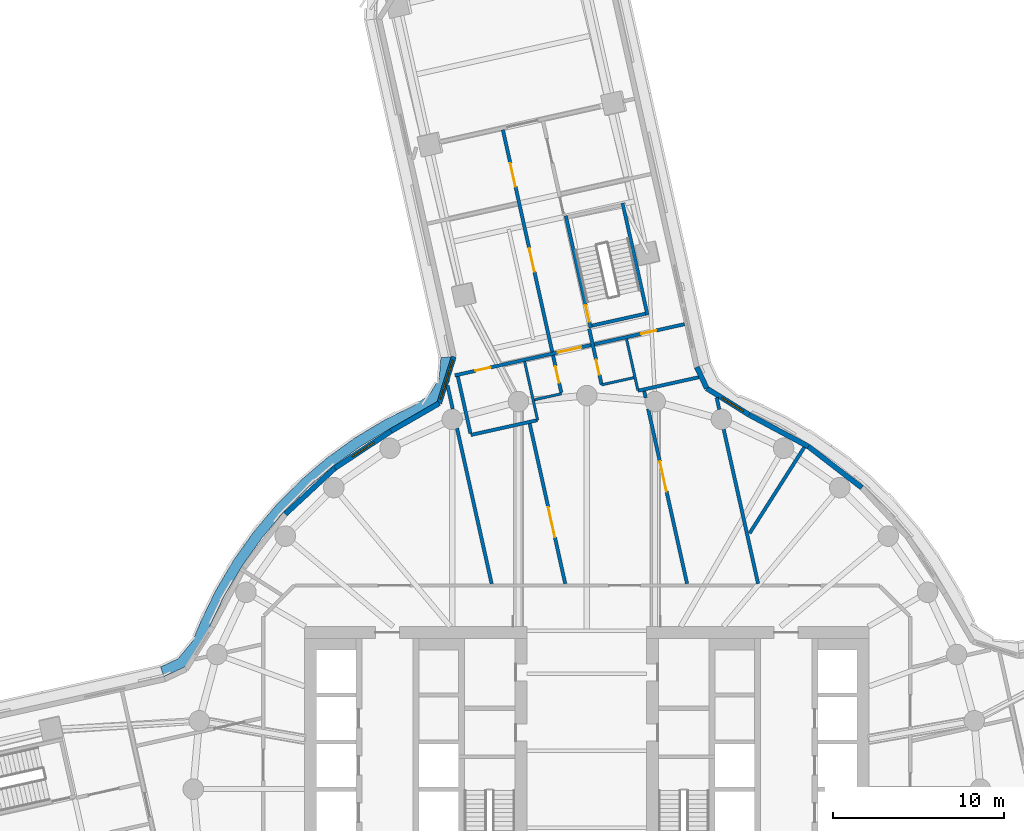
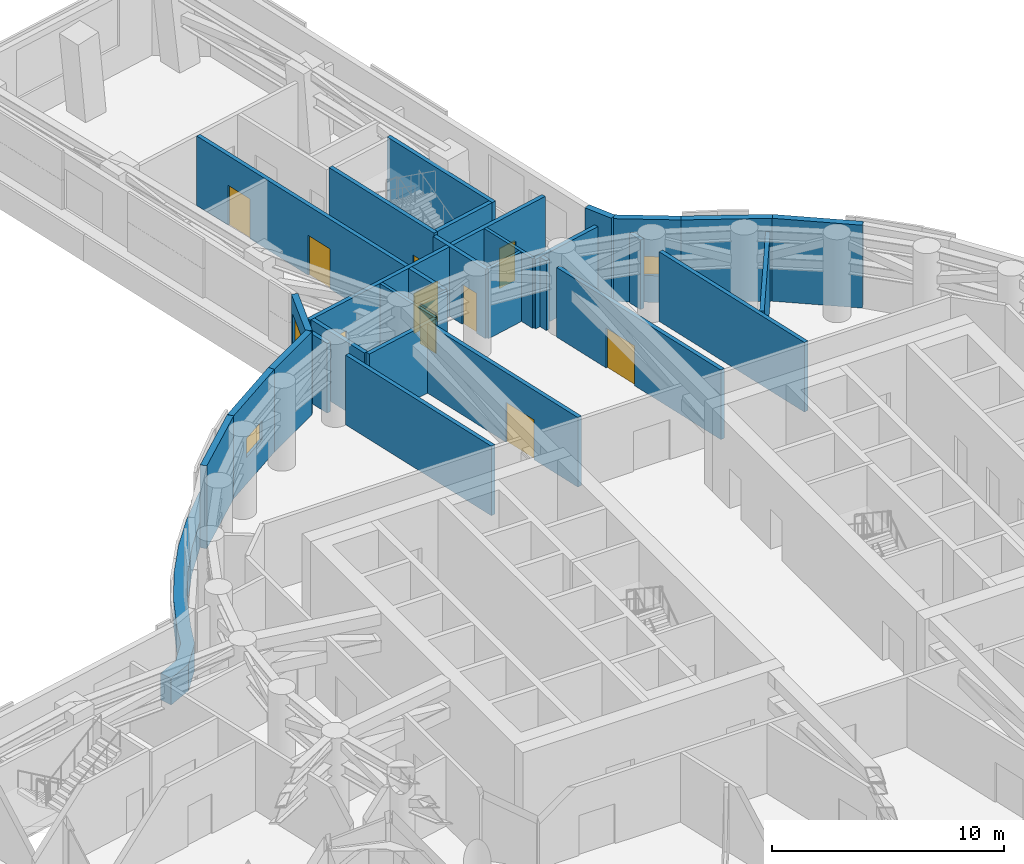
# One storey, part 12 of 22: 29 walls, 10 doors, 3 windows, 1 member, 13 openings.
"""IFC4 building model written with IfcOpenShell, lengths in metres."""

from ifc_helpers import new_model, si_unit, direction, frame, frame_2d, origin, place, context, subcontext, project, spatial, polyline, rectangle, outline, extrude, material, layer, layer_set, type_object, element, fill, aggregate, save


model = new_model("IFC4")

# Units and contexts
model_context = context("Model", 3, precision=1e-05, world=origin(), true_north=direction((0.0, 1.0)))
body_context = subcontext(model_context, "Body", "Model", "MODEL_VIEW")
ifc_project = project(units=[si_unit("LENGTHUNIT", "METRE"), si_unit("AREAUNIT", "SQUARE_METRE"), si_unit("VOLUMEUNIT", "CUBIC_METRE"), si_unit("PLANEANGLEUNIT", "RADIAN"), si_unit("MASSUNIT", "GRAM", prefix="KILO")], contexts=[model_context])

# Member
ifc_material_1 = material(Name="Aluminium and insulated spandrel panel", Category="aluminium")
member_type = type_object("IfcMemberType", Name="Floor-edge blade transom", PredefinedType="USERDEFINED", material=ifc_material_1)
site_placement = place(None, origin())
building_placement = place(site_placement, origin())
storey_placement = place(building_placement, frame((0.0, 0.0, 79.0)))
member_placement = place(storey_placement, origin())
member = element("IfcMember", 1, at=member_placement, type_object=member_type, Name="CWT-L18-14", ObjectType="TRANSOM", PredefinedType="USERDEFINED", context=body_context, shape_type="SweptSolid", body=[
    extrude(outline(polyline([(-7.92236328125, 25.2578125), (-8.03955078125, 23.802978515625), (-8.73681640625, 22.65380859375), (-9.796142578125, 21.902587890625), (-11.511474609375, 21.054443359375), (-13.2109375, 20.031982421875), (-14.820068359375, 18.87255859375), (-16.327880859375, 17.584228515625), (-17.72412109375, 16.17578125), (-18.99951171875, 14.656982421875), (-20.14501953125, 13.0380859375), (-21.15283203125, 11.329833984375), (-22.01611328125, 9.54443359375), (-22.52099609375, 8.33203125), (-23.512451171875, 7.135009765625), (-24.71337890625, 6.567626953125), (-24.9091796875, 7.138671875), (-23.889404296875, 7.62060546875), (-23.04052734375, 8.645751953125), (-22.5634765625, 9.79052734375), (-21.68212890625, 11.613525390625), (-20.64892578125, 13.3642578125), (-19.474853515625, 15.023681640625), (-18.167724609375, 16.580810546875), (-16.736572265625, 18.0244140625), (-15.19091796875, 19.344970703125), (-13.54150390625, 20.533203125), (-11.799560546875, 21.581298828125), (-10.1044921875, 22.41943359375), (-9.185302734375, 23.0712890625), (-8.626220703125, 23.992919921875), (-8.527587890625, 25.21630859375), (-7.92236328125, 25.2578125)])), origin(), (0.0, 0.0, 1.0), 1.39990234375),
])

# Site, building, storey
site = spatial("IfcSite", under=ifc_project, at=site_placement, CompositionType="ELEMENT")
building = spatial("IfcBuilding", under=site, at=building_placement, Name="Tamarind Cross Interchange Tower", CompositionType="ELEMENT")
storey = spatial("IfcBuildingStorey", under=building, at=storey_placement, Name="L18", CompositionType="ELEMENT", Elevation=79.0)

# Walls
ifc_material_2 = material(Name="Gypsum board partition on steel studs", Category="steel")
ifc_layer_1 = layer(ifc_material_2, 0.14990234375)
ifc_layer_set_1 = layer_set([ifc_layer_1], Name="Gypsum board partition on steel studs")
wall_type_1 = type_object("IfcWallType", Name="Partition 150 mm EI 120", PredefinedType="PARTITIONING", material=ifc_layer_set_1)
wall_1_placement = place(storey_placement, frame((-3.63427734375, 24.982421875, 0.0), z_axis=(0.0, 0.0, 1.0), x_axis=(0.217211102437, -0.976124652377, 0.0)))
element("IfcWall", 2, at=wall_1_placement, inside=storey, type_object=wall_type_1, Name="Partition L18-011", PredefinedType="PARTITIONING", context=body_context, shape_type="SweptSolid", body=[
    extrude(rectangle(XDim=3.5, YDim=0.14990234375, at=frame_2d((1.75, 0.0))), origin(), (0.0, 0.0, 1.0), 3.659912109375),
])
wall_2_placement = place(storey_placement, frame((2.319580078125, 26.311279296875, 0.0), z_axis=(0.0, 0.0, 1.0), x_axis=(0.216662333141, -0.976246604807, 0.0)))
element("IfcWall", 3, at=wall_2_placement, inside=storey, type_object=wall_type_1, Name="Partition L18-020", PredefinedType="PARTITIONING", context=body_context, shape_type="SweptSolid", body=[
    extrude(rectangle(XDim=3.085205078125, YDim=0.14990234375, at=frame_2d((1.54248046875, 0.0))), origin(), (0.0, 0.0, 1.0), 3.659912109375),
])
wall_3_placement = place(storey_placement, frame((-3.056884765625, 22.75439453125, 0.0), z_axis=(0.0, 0.0, 1.0), x_axis=(0.976179969389, 0.216962363933, 0.0)))
element("IfcWall", 4, at=wall_3_placement, inside=storey, type_object=wall_type_1, Name="Partition L18-053", PredefinedType="PARTITIONING", context=body_context, shape_type="SweptSolid", body=[
    extrude(rectangle(XDim=1.620361328125, YDim=0.14990234375, at=frame_2d((0.81005859375, 0.0))), origin(), (0.0, 0.0, 1.0), 3.659912109375),
])
wall_4_placement = place(storey_placement, frame((0.8671875, 23.626708984375, 0.0), z_axis=(0.0, 0.0, 1.0), x_axis=(0.976187060184, 0.216930457819, 0.0)))
element("IfcWall", 5, at=wall_4_placement, inside=storey, type_object=wall_type_1, Name="Partition L18-054", PredefinedType="PARTITIONING", context=body_context, shape_type="SweptSolid", body=[
    extrude(rectangle(XDim=1.924560546875, YDim=0.14990234375, at=frame_2d((0.96240234375, 0.0))), origin(), (0.0, 0.0, 1.0), 3.659912109375),
])
ifc_layer_2 = layer(ifc_material_2, 0.199951171875)
ifc_layer_set_2 = layer_set([ifc_layer_2], Name="Gypsum board partition on steel studs")
wall_type_2 = type_object("IfcWallType", Name="Partition 200 mm EI 180", PredefinedType="PARTITIONING", material=ifc_layer_set_2)
wall_5_placement = place(storey_placement, frame((-8.1396484375, 23.591796875, 0.0), z_axis=(0.0, 0.0, 1.0), x_axis=(0.21709529859, -0.976150414296, 0.0)))
element("IfcWall", 6, at=wall_5_placement, inside=storey, type_object=wall_type_2, Name="Partition L18-006", PredefinedType="PARTITIONING", context=body_context, shape_type="SweptSolid", body=[
    extrude(rectangle(XDim=1.411376953125, YDim=0.199951171875, at=frame_2d((0.70556640625, 0.0))), origin(), (0.0, 0.0, 1.0), 3.659912109375),
])
wall_6_placement = place(storey_placement, frame((-7.5810546875, 21.079345703125, 0.0), z_axis=(0.0, 0.0, 1.0), x_axis=(0.217055556544, -0.976159252055, 0.0)))
element("IfcWall", 7, at=wall_6_placement, inside=storey, type_object=wall_type_2, Name="Partition L18-007", PredefinedType="PARTITIONING", context=body_context, shape_type="SweptSolid", body=[
    extrude(rectangle(XDim=9.298583984375, YDim=0.199951171875, at=frame_2d((4.6494140625, 0.0))), origin(), (0.0, 0.0, 1.0), 3.659912109375),
])
wall_7_placement = place(storey_placement, frame((-7.538330078125, 24.114501953125, 0.0), z_axis=(0.0, 0.0, 1.0), x_axis=(0.216877248521, -0.976198882951, 0.0)))
element("IfcWall", 8, at=wall_7_placement, inside=storey, type_object=wall_type_2, Name="Partition L18-008", PredefinedType="PARTITIONING", context=body_context, shape_type="SweptSolid", body=[
    extrude(rectangle(XDim=3.40087890625, YDim=0.199951171875, at=frame_2d((1.700439453125, 0.0))), origin(), (0.0, 0.0, 1.0), 3.659912109375),
])

# Wall, openings, doors
wall_8_placement = place(storey_placement, frame((-4.9052734375, 38.529296875, 0.0), z_axis=(0.0, 0.0, 1.0), x_axis=(0.217093198674, -0.976150881314, 0.0)))
wall_8 = element("IfcWall", 9, at=wall_8_placement, inside=storey, type_object=wall_type_2, Name="Partition L18-010", PredefinedType="PARTITIONING", context=body_context, shape_type="SweptSolid", body=[
    extrude(rectangle(XDim=15.72509765625, YDim=0.199951171875, at=frame_2d((7.862548828125, 0.0))), origin(), (0.0, 0.0, 1.0), 3.659912109375),
])
opening_1_placement = place(wall_8_placement, frame((14.14990234375, 0.0, 0.0)))
opening_1 = element("IfcOpeningElement", 10, at=opening_1_placement, cuts=wall_8, Name="Opening D04", PredefinedType="OPENING", context=body_context, shape_type="SweptSolid", body=[
    extrude(rectangle(XDim=1.0, YDim=2.10009765625, at=frame_2d((0.5, 1.050048828125))), frame((0.0, 0.10986328125, 0.0), z_axis=(0.0, -1.0, 0.0), x_axis=(1.0, 0.0, 0.0)), (0.0, 0.0, 1.0), 0.219970703125),
])
opening_2_placement = place(wall_8_placement, frame((7.100341796875, 0.0, 0.0)))
opening_2 = element("IfcOpeningElement", 11, at=opening_2_placement, cuts=wall_8, Name="Opening D05", PredefinedType="OPENING", context=body_context, shape_type="SweptSolid", body=[
    extrude(rectangle(XDim=1.39990234375, YDim=2.10009765625, at=frame_2d((0.699951171875, 1.050048828125))), frame((0.0, 0.10986328125, 0.0), z_axis=(0.0, -1.0, 0.0), x_axis=(1.0, 0.0, 0.0)), (0.0, 0.0, 1.0), 0.219970703125),
])
opening_3_placement = place(wall_8_placement, frame((2.0, 0.0, 0.0)))
opening_3 = element("IfcOpeningElement", 12, at=opening_3_placement, cuts=wall_8, Name="Opening D06", PredefinedType="OPENING", context=body_context, shape_type="SweptSolid", body=[
    extrude(rectangle(XDim=1.39990234375, YDim=2.10009765625, at=frame_2d((0.699951171875, 1.050048828125))), frame((0.0, 0.10986328125, 0.0), z_axis=(0.0, -1.0, 0.0), x_axis=(1.0, 0.0, 0.0)), (0.0, 0.0, 1.0), 0.219970703125),
])
ifc_material_3 = material(Name="Fire-resisting door set")
door_type_1 = type_object("IfcDoorType", Name="Interior door 1000 x 2100 FD120S", OperationType="SINGLE_SWING_LEFT", PredefinedType="DOOR", material=ifc_material_3)
door_1_placement = place(opening_1_placement, frame((1.0, 0.0, 0.0), z_axis=(0.0, 0.0, 1.0), x_axis=(-1.0, 0.0, 0.0)))
door_1 = element("IfcDoor", 13, at=door_1_placement, inside=storey, type_object=door_type_1, Name="Door D04", OperationType="SINGLE_SWING_RIGHT", OverallHeight=2.10009765625, OverallWidth=1.0, PredefinedType="DOOR", context=body_context, shape_type="SweptSolid", body=[
    extrude(rectangle(XDim=1.0, YDim=2.10009765625, at=frame_2d((0.5, 1.050048828125))), frame((0.0, 0.02490234375, 0.0), z_axis=(0.0, -1.0, 0.0), x_axis=(1.0, 0.0, 0.0)), (0.0, 0.0, 1.0), 0.050048828125),
])
fill(opening_1, door_1)
door_type_2 = type_object("IfcDoorType", Name="Interior door 1400 x 2100 FD120S", OperationType="DOUBLE_DOOR_SINGLE_SWING", PredefinedType="DOOR", material=ifc_material_3)
door_2_placement = place(opening_2_placement, frame((1.39990234375, 0.0, 0.0), z_axis=(0.0, 0.0, 1.0), x_axis=(-1.0, 0.0, 0.0)))
door_2 = element("IfcDoor", 14, at=door_2_placement, inside=storey, type_object=door_type_2, Name="Door D05", OperationType="DOUBLE_DOOR_SINGLE_SWING", OverallHeight=2.10009765625, OverallWidth=1.39990234375, PredefinedType="DOOR", context=body_context, shape_type="SweptSolid", body=[
    extrude(rectangle(XDim=1.39990234375, YDim=2.10009765625, at=frame_2d((0.699951171875, 1.050048828125))), frame((0.0, 0.02490234375, 0.0), z_axis=(0.0, -1.0, 0.0), x_axis=(1.0, 0.0, 0.0)), (0.0, 0.0, 1.0), 0.050048828125),
])
fill(opening_2, door_2)
door_3_placement = place(opening_3_placement, frame((1.39990234375, 0.0, 0.0), z_axis=(0.0, 0.0, 1.0), x_axis=(-1.0, 0.0, 0.0)))
door_3 = element("IfcDoor", 15, at=door_3_placement, inside=storey, type_object=door_type_2, Name="Door D06", OperationType="DOUBLE_DOOR_SINGLE_SWING", OverallHeight=2.10009765625, OverallWidth=1.39990234375, PredefinedType="DOOR", context=body_context, shape_type="SweptSolid", body=[
    extrude(rectangle(XDim=1.39990234375, YDim=2.10009765625, at=frame_2d((0.699951171875, 1.050048828125))), frame((0.0, 0.02490234375, 0.0), z_axis=(0.0, -1.0, 0.0), x_axis=(1.0, 0.0, 0.0)), (0.0, 0.0, 1.0), 0.050048828125),
])
fill(opening_3, door_3)

# Wall, opening, door
wall_9_placement = place(storey_placement, frame((-3.34033203125, 21.359375, 0.0), z_axis=(0.0, 0.0, 1.0), x_axis=(0.217054509475, -0.976159484878, 0.0)))
wall_9 = element("IfcWall", 16, at=wall_9_placement, inside=storey, type_object=wall_type_2, Name="Partition L18-012", PredefinedType="PARTITIONING", context=body_context, shape_type="SweptSolid", body=[
    extrude(rectangle(XDim=9.58544921875, YDim=0.199951171875, at=frame_2d((4.792724609375, 0.0))), origin(), (0.0, 0.0, 1.0), 3.659912109375),
])
opening_4_placement = place(wall_9_placement, frame((5.0, 0.0, 0.0)))
opening_4 = element("IfcOpeningElement", 17, at=opening_4_placement, cuts=wall_9, Name="Opening D07", PredefinedType="OPENING", context=body_context, shape_type="SweptSolid", body=[
    extrude(rectangle(XDim=1.800048828125, YDim=2.10009765625, at=frame_2d((0.89990234375, 1.050048828125))), frame((0.0, 0.10986328125, 0.0), z_axis=(0.0, -1.0, 0.0), x_axis=(1.0, 0.0, 0.0)), (0.0, 0.0, 1.0), 0.219970703125),
])
door_type_3 = type_object("IfcDoorType", Name="Interior door 1800 x 2100 FD120S", OperationType="DOUBLE_DOOR_SINGLE_SWING", PredefinedType="DOOR", material=ifc_material_3)
door_4_placement = place(opening_4_placement, frame((1.800048828125, 0.0, 0.0), z_axis=(0.0, 0.0, 1.0), x_axis=(-1.0, 0.0, 0.0)))
door_4 = element("IfcDoor", 18, at=door_4_placement, inside=storey, type_object=door_type_3, Name="Door D07", OperationType="DOUBLE_DOOR_SINGLE_SWING", OverallHeight=2.10009765625, OverallWidth=1.800048828125, PredefinedType="DOOR", context=body_context, shape_type="SweptSolid", body=[
    extrude(rectangle(XDim=1.800048828125, YDim=2.10009765625, at=frame_2d((0.89990234375, 1.050048828125))), frame((0.0, 0.02490234375, 0.0), z_axis=(0.0, -1.0, 0.0), x_axis=(1.0, 0.0, 0.0)), (0.0, 0.0, 1.0), 0.050048828125),
])
fill(opening_4, door_4)

wall_10_placement = place(storey_placement, frame((0.1376953125, 26.90673828125, 0.0), z_axis=(0.0, 0.0, 1.0), x_axis=(0.217031075357, -0.976164695289, 0.0)))
wall_10 = element("IfcWall", 19, at=wall_10_placement, inside=storey, type_object=wall_type_2, Name="Partition L18-014", PredefinedType="PARTITIONING", context=body_context, shape_type="SweptSolid", body=[
    extrude(rectangle(XDim=3.33984375, YDim=0.199951171875, at=frame_2d((1.669921875, 0.0))), origin(), (0.0, 0.0, 1.0), 3.659912109375),
])
opening_5_placement = place(wall_10_placement, frame((1.859619140625, 0.0, 0.0)))
opening_5 = element("IfcOpeningElement", 20, at=opening_5_placement, cuts=wall_10, Name="Opening D10", PredefinedType="OPENING", context=body_context, shape_type="SweptSolid", body=[
    extrude(rectangle(XDim=0.89990234375, YDim=2.10009765625, at=frame_2d((0.449951171875, 1.050048828125))), frame((0.0, 0.10986328125, 0.0), z_axis=(0.0, -1.0, 0.0), x_axis=(1.0, 0.0, 0.0)), (0.0, 0.0, 1.0), 0.219970703125),
])
door_type_4 = type_object("IfcDoorType", Name="Interior door 900 x 2100 FD120S", OperationType="SINGLE_SWING_LEFT", PredefinedType="DOOR", material=ifc_material_3)
door_5_placement = place(opening_5_placement, origin())
door_5 = element("IfcDoor", 21, at=door_5_placement, inside=storey, type_object=door_type_4, Name="Door D10", OperationType="SINGLE_SWING_LEFT", OverallHeight=2.10009765625, OverallWidth=0.89990234375, PredefinedType="DOOR", context=body_context, shape_type="SweptSolid", body=[
    extrude(rectangle(XDim=0.89990234375, YDim=2.10009765625, at=frame_2d((0.449951171875, 1.050048828125))), frame((0.0, 0.02490234375, 0.0), z_axis=(0.0, -1.0, 0.0), x_axis=(1.0, 0.0, 0.0)), (0.0, 0.0, 1.0), 0.050048828125),
])
fill(opening_5, door_5)

# Wall
wall_11_placement = place(storey_placement, frame((3.356689453125, 23.25830078125, 0.0), z_axis=(0.0, 0.0, 1.0), x_axis=(0.216995545152, -0.976172594055, 0.0)))
element("IfcWall", 22, at=wall_11_placement, inside=storey, type_object=wall_type_2, Name="Partition L18-021", PredefinedType="PARTITIONING", context=body_context, shape_type="SweptSolid", body=[
    extrude(rectangle(XDim=0.397216796875, YDim=0.199951171875, at=frame_2d((0.19873046875, 0.0))), origin(), (0.0, 0.0, 1.0), 3.659912109375),
])

# Wall, opening, door
wall_12_placement = place(storey_placement, frame((3.586669921875, 22.224609375, 0.0), z_axis=(0.0, 0.0, 1.0), x_axis=(0.21703911185, -0.976162908498, 0.0)))
wall_12 = element("IfcWall", 23, at=wall_12_placement, inside=storey, type_object=wall_type_2, Name="Partition L18-022", PredefinedType="PARTITIONING", context=body_context, shape_type="SweptSolid", body=[
    extrude(rectangle(XDim=10.468017578125, YDim=0.199951171875, at=frame_2d((5.23388671875, 0.0))), origin(), (0.0, 0.0, 1.0), 3.659912109375),
])
opening_6_placement = place(wall_12_placement, frame((3.14990234375, 0.0, 0.0)))
opening_6 = element("IfcOpeningElement", 24, at=opening_6_placement, cuts=wall_12, Name="Opening D15", PredefinedType="OPENING", context=body_context, shape_type="SweptSolid", body=[
    extrude(rectangle(XDim=1.800048828125, YDim=2.10009765625, at=frame_2d((0.89990234375, 1.050048828125))), frame((0.0, 0.10986328125, 0.0), z_axis=(0.0, -1.0, 0.0), x_axis=(1.0, 0.0, 0.0)), (0.0, 0.0, 1.0), 0.219970703125),
])
door_6_placement = place(opening_6_placement, origin())
door_6 = element("IfcDoor", 25, at=door_6_placement, inside=storey, type_object=door_type_3, Name="Door D15", OperationType="DOUBLE_DOOR_SINGLE_SWING", OverallHeight=2.10009765625, OverallWidth=1.800048828125, PredefinedType="DOOR", context=body_context, shape_type="SweptSolid", body=[
    extrude(rectangle(XDim=1.800048828125, YDim=2.10009765625, at=frame_2d((0.89990234375, 1.050048828125))), frame((0.0, 0.02490234375, 0.0), z_axis=(0.0, -1.0, 0.0), x_axis=(1.0, 0.0, 0.0)), (0.0, 0.0, 1.0), 0.050048828125),
])
fill(opening_6, door_6)

# Walls
wall_13_placement = place(storey_placement, frame((7.589111328125, 22.8818359375, 0.0), z_axis=(0.0, 0.0, 1.0), x_axis=(0.217003399532, -0.976170848055, 0.0)))
element("IfcWall", 26, at=wall_13_placement, inside=storey, type_object=wall_type_2, Name="Partition L18-025", PredefinedType="PARTITIONING", context=body_context, shape_type="SweptSolid", body=[
    extrude(rectangle(XDim=0.708740234375, YDim=0.199951171875, at=frame_2d((0.3544921875, 0.0))), origin(), (0.0, 0.0, 1.0), 3.659912109375),
])
wall_14_placement = place(storey_placement, frame((7.999267578125, 21.03857421875, 0.0), z_axis=(0.0, 0.0, 1.0), x_axis=(0.217134305932, -0.976141738267, 0.0)))
element("IfcWall", 27, at=wall_14_placement, inside=storey, type_object=wall_type_2, Name="Partition L18-026", PredefinedType="PARTITIONING", context=body_context, shape_type="SweptSolid", body=[
    extrude(rectangle(XDim=9.257080078125, YDim=0.199951171875, at=frame_2d((4.62841796875, 0.0))), origin(), (0.0, 0.0, 1.0), 3.659912109375),
])

# Wall, openings, doors
wall_15_placement = place(storey_placement, frame((-7.707275390625, 24.17919921875, 0.0), z_axis=(0.0, 0.0, 1.0), x_axis=(0.976033065583, 0.21762227572, 0.0)))
wall_15 = element("IfcWall", 28, at=wall_15_placement, inside=storey, type_object=wall_type_2, Name="Partition L18-050", PredefinedType="PARTITIONING", context=body_context, shape_type="SweptSolid", body=[
    extrude(rectangle(XDim=13.74951171875, YDim=0.199951171875, at=frame_2d((6.874755859375, 0.0))), origin(), (0.0, 0.0, 1.0), 3.659912109375),
])
opening_7_placement = place(wall_15_placement, frame((6.15087890625, 0.0, 0.0)))
opening_7 = element("IfcOpeningElement", 29, at=opening_7_placement, cuts=wall_15, Name="Opening D28", PredefinedType="OPENING", context=body_context, shape_type="SweptSolid", body=[
    extrude(rectangle(XDim=1.39990234375, YDim=2.10009765625, at=frame_2d((0.699951171875, 1.050048828125))), frame((0.0, 0.10986328125, 0.0), z_axis=(0.0, -1.0, 0.0), x_axis=(1.0, 0.0, 0.0)), (0.0, 0.0, 1.0), 0.219970703125),
])
opening_8_placement = place(wall_15_placement, frame((1.23046875, 0.0, 0.0)))
opening_8 = element("IfcOpeningElement", 30, at=opening_8_placement, cuts=wall_15, Name="Opening D29", PredefinedType="OPENING", context=body_context, shape_type="SweptSolid", body=[
    extrude(rectangle(XDim=0.89990234375, YDim=2.10009765625, at=frame_2d((0.449951171875, 1.050048828125))), frame((0.0, 0.10986328125, 0.0), z_axis=(0.0, -1.0, 0.0), x_axis=(1.0, 0.0, 0.0)), (0.0, 0.0, 1.0), 0.219970703125),
])
opening_9_placement = place(wall_15_placement, frame((11.150634765625, 0.0, 0.0)))
opening_9 = element("IfcOpeningElement", 31, at=opening_9_placement, cuts=wall_15, Name="Opening D30", PredefinedType="OPENING", context=body_context, shape_type="SweptSolid", body=[
    extrude(rectangle(XDim=0.89990234375, YDim=2.10009765625, at=frame_2d((0.449951171875, 1.050048828125))), frame((0.0, 0.10986328125, 0.0), z_axis=(0.0, -1.0, 0.0), x_axis=(1.0, 0.0, 0.0)), (0.0, 0.0, 1.0), 0.219970703125),
])
door_7_placement = place(opening_7_placement, frame((1.39990234375, 0.0, 0.0), z_axis=(0.0, 0.0, 1.0), x_axis=(-1.0, 0.0, 0.0)))
door_7 = element("IfcDoor", 32, at=door_7_placement, inside=storey, type_object=door_type_2, Name="Door D28", OperationType="DOUBLE_DOOR_SINGLE_SWING", OverallHeight=2.10009765625, OverallWidth=1.39990234375, PredefinedType="DOOR", context=body_context, shape_type="SweptSolid", body=[
    extrude(rectangle(XDim=1.39990234375, YDim=2.10009765625, at=frame_2d((0.699951171875, 1.050048828125))), frame((0.0, 0.02490234375, 0.0), z_axis=(0.0, -1.0, 0.0), x_axis=(1.0, 0.0, 0.0)), (0.0, 0.0, 1.0), 0.050048828125),
])
fill(opening_7, door_7)
door_8_placement = place(opening_8_placement, frame((0.89990234375, 0.0, 0.0), z_axis=(0.0, 0.0, 1.0), x_axis=(-1.0, 0.0, 0.0)))
door_8 = element("IfcDoor", 33, at=door_8_placement, inside=storey, type_object=door_type_4, Name="Door D29", OperationType="SINGLE_SWING_LEFT", OverallHeight=2.10009765625, OverallWidth=0.89990234375, PredefinedType="DOOR", context=body_context, shape_type="SweptSolid", body=[
    extrude(rectangle(XDim=0.89990234375, YDim=2.10009765625, at=frame_2d((0.449951171875, 1.050048828125))), frame((0.0, 0.02490234375, 0.0), z_axis=(0.0, -1.0, 0.0), x_axis=(1.0, 0.0, 0.0)), (0.0, 0.0, 1.0), 0.050048828125),
])
fill(opening_8, door_8)
door_9_placement = place(opening_9_placement, frame((0.89990234375, 0.0, 0.0), z_axis=(0.0, 0.0, 1.0), x_axis=(-1.0, 0.0, 0.0)))
door_9 = element("IfcDoor", 34, at=door_9_placement, inside=storey, type_object=door_type_4, Name="Door D30", OperationType="SINGLE_SWING_RIGHT", OverallHeight=2.10009765625, OverallWidth=0.89990234375, PredefinedType="DOOR", context=body_context, shape_type="SweptSolid", body=[
    extrude(rectangle(XDim=0.89990234375, YDim=2.10009765625, at=frame_2d((0.449951171875, 1.050048828125))), frame((0.0, 0.02490234375, 0.0), z_axis=(0.0, -1.0, 0.0), x_axis=(1.0, 0.0, 0.0)), (0.0, 0.0, 1.0), 0.050048828125),
])
fill(opening_9, door_9)

# Walls
wall_16_placement = place(storey_placement, frame((-6.779052734375, 20.697021484375, 0.0), z_axis=(0.0, 0.0, 1.0), x_axis=(0.976146636843, 0.217112282887, 0.0)))
element("IfcWall", 35, at=wall_16_placement, inside=storey, type_object=wall_type_2, Name="Partition L18-051", PredefinedType="PARTITIONING", context=body_context, shape_type="SweptSolid", body=[
    extrude(rectangle(XDim=3.980712890625, YDim=0.199951171875, at=frame_2d((1.990234375, 0.0))), origin(), (0.0, 0.0, 1.0), 3.659912109375),
])
wall_17_placement = place(storey_placement, frame((2.992919921875, 23.280029296875, 0.0), z_axis=(0.0, 0.0, 1.0), x_axis=(0.976190222355, 0.21691622756, 0.0)))
element("IfcWall", 36, at=wall_17_placement, inside=storey, type_object=wall_type_2, Name="Partition L18-058", PredefinedType="PARTITIONING", context=body_context, shape_type="SweptSolid", body=[
    extrude(rectangle(XDim=3.633056640625, YDim=0.199951171875, at=frame_2d((1.81640625, 0.0))), origin(), (0.0, 0.0, 1.0), 3.659912109375),
])
wall_18_placement = place(storey_placement, frame((9.51318359375, 14.951904296875, 0.0), z_axis=(0.0, 0.0, 1.0), x_axis=(0.536804820056, 0.843706456752, 0.0)))
element("IfcWall", 37, at=wall_18_placement, inside=storey, type_object=wall_type_2, Name="Partition L18-072", PredefinedType="PARTITIONING", context=body_context, shape_type="SweptSolid", body=[
    extrude(rectangle(XDim=6.259033203125, YDim=0.199951171875, at=frame_2d((3.12939453125, 0.0))), origin(), (0.0, 0.0, 1.0), 3.659912109375),
])
ifc_material_4 = material(Name="Precast concrete C40", Category="concrete")
ifc_layer_3 = layer(ifc_material_4, 0.300048828125)
ifc_layer_set_3 = layer_set([ifc_layer_3], Name="Precast concrete C40")
wall_type_3 = type_object("IfcWallType", Name="Plant louvre wall", PredefinedType="SOLIDWALL", material=ifc_layer_set_3)
wall_19_placement = place(storey_placement, frame((16.07470703125, 17.61328125, 0.0), z_axis=(0.0, 0.0, 1.0), x_axis=(-0.79179596038, 0.610785688376, 0.0)))
element("IfcWall", 38, at=wall_19_placement, inside=storey, type_object=wall_type_3, Name="EXW-L18-10-04", PredefinedType="SOLIDWALL", context=body_context, shape_type="SweptSolid", body=[
    extrude(rectangle(XDim=3.9384765625, YDim=0.300048828125, at=frame_2d((1.96923828125, 0.0))), origin(), (0.0, 0.0, 1.0), 4.360107421875),
])
wall_20_placement = place(storey_placement, frame((12.956298828125, 20.018798828125, 0.0), z_axis=(0.0, 0.0, 1.0), x_axis=(-0.881521417359, 0.472144036007, 0.0)))
element("IfcWall", 39, at=wall_20_placement, inside=storey, type_object=wall_type_3, Name="EXW-L18-10-05", PredefinedType="SOLIDWALL", context=body_context, shape_type="SweptSolid", body=[
    extrude(rectangle(XDim=3.940185546875, YDim=0.300048828125, at=frame_2d((1.97021484375, 0.0))), origin(), (0.0, 0.0, 1.0), 4.360107421875),
])

# Wall, opening, window
wall_21_placement = place(storey_placement, frame((9.48291015625, 21.879150390625, 0.0), z_axis=(0.0, 0.0, 1.0), x_axis=(-0.848648189987, 0.528957701174, 0.0)))
wall_21 = element("IfcWall", 40, at=wall_21_placement, inside=storey, type_object=wall_type_3, Name="EXW-L18-10-06", PredefinedType="SOLIDWALL", context=body_context, shape_type="SweptSolid", body=[
    extrude(rectangle(XDim=2.90966796875, YDim=0.300048828125, at=frame_2d((1.454833984375, 0.0))), origin(), (0.0, 0.0, 1.0), 4.360107421875),
])
opening_10_placement = place(wall_21_placement, frame((0.389892578125, 0.0, 1.39990234375)))
opening_10 = element("IfcOpeningElement", 41, at=opening_10_placement, cuts=wall_21, Name="Opening W5", PredefinedType="OPENING", context=body_context, shape_type="SweptSolid", body=[
    extrude(rectangle(XDim=1.5, YDim=1.0, at=frame_2d((0.75, 0.5))), frame((0.0, 0.159912109375, 0.0), z_axis=(0.0, -1.0, 0.0), x_axis=(1.0, 0.0, 0.0)), (0.0, 0.0, 1.0), 0.320068359375),
])
ifc_material_5 = material(Name="Aluminium and fire-resisting glass", Category="aluminium")
window_type_1 = type_object("IfcWindowType", Name="Refuge opening window", PartitioningType="DOUBLE_PANEL_VERTICAL", PredefinedType="WINDOW", material=ifc_material_5)
window_1_placement = place(opening_10_placement, origin())
window_1 = element("IfcWindow", 42, at=window_1_placement, inside=storey, type_object=window_type_1, Name="RSW-L18-10-02", OverallHeight=1.0, OverallWidth=1.5, PartitioningType="SINGLE_PANEL", PredefinedType="WINDOW", context=body_context, shape_type="SweptSolid", body=[
    extrude(rectangle(XDim=1.5, YDim=1.0, at=frame_2d((0.75, 0.5))), frame((0.0, 0.030029296875, 0.0), z_axis=(0.0, -1.0, 0.0), x_axis=(1.0, 0.0, 0.0)), (0.0, 0.0, 1.0), 0.06005859375),
])
fill(opening_10, window_1)

# Wall
wall_22_placement = place(storey_placement, frame((7.013671875, 23.418212890625, 0.0), z_axis=(0.0, 0.0, 1.0), x_axis=(-0.427195365071, 0.904159344398, 0.0)))
element("IfcWall", 43, at=wall_22_placement, inside=storey, type_object=wall_type_3, Name="EXW-L18-10-07", PredefinedType="SOLIDWALL", context=body_context, shape_type="SweptSolid", body=[
    extrude(rectangle(XDim=1.37841796875, YDim=0.300048828125, at=frame_2d((0.689208984375, 0.0))), origin(), (0.0, 0.0, 1.0), 4.360107421875),
])

# Wall, opening, window
wall_23_placement = place(storey_placement, frame((-7.77099609375, 25.268310546875, 0.0), z_axis=(0.0, 0.0, 1.0), x_axis=(-0.299577096006, -0.954072095572, 0.0)))
wall_23 = element("IfcWall", 44, at=wall_23_placement, inside=storey, type_object=wall_type_3, Name="EXW-L18-14-00", PredefinedType="SOLIDWALL", context=body_context, shape_type="SweptSolid", body=[
    extrude(rectangle(XDim=2.849853515625, YDim=0.300048828125, at=frame_2d((1.4248046875, 0.0))), origin(), (0.0, 0.0, 1.0), 4.360107421875),
])
opening_11_placement = place(wall_23_placement, frame((0.199951171875, 0.0, 1.39990234375)))
opening_11 = element("IfcOpeningElement", 45, at=opening_11_placement, cuts=wall_23, Name="Opening W3", PredefinedType="OPENING", context=body_context, shape_type="SweptSolid", body=[
    extrude(rectangle(XDim=2.39990234375, YDim=2.10009765625, at=frame_2d((1.199951171875, 1.050048828125))), frame((0.0, 0.159912109375, 0.0), z_axis=(0.0, -1.0, 0.0), x_axis=(1.0, 0.0, 0.0)), (0.0, 0.0, 1.0), 0.320068359375),
])
window_type_2 = type_object("IfcWindowType", Name="Refuge rescue window", PartitioningType="DOUBLE_PANEL_VERTICAL", PredefinedType="WINDOW", material=ifc_material_5)
window_2_placement = place(opening_11_placement, origin())
window_2 = element("IfcWindow", 46, at=window_2_placement, inside=storey, type_object=window_type_2, Name="RSW-L18-14-00", OverallHeight=2.10009765625, OverallWidth=2.39990234375, PartitioningType="SINGLE_PANEL", PredefinedType="WINDOW", context=body_context, shape_type="SweptSolid", body=[
    extrude(rectangle(XDim=2.39990234375, YDim=2.10009765625, at=frame_2d((1.199951171875, 1.050048828125))), frame((0.0, 0.030029296875, 0.0), z_axis=(0.0, -1.0, 0.0), x_axis=(1.0, 0.0, 0.0)), (0.0, 0.0, 1.0), 0.06005859375),
])
fill(opening_11, window_2)

aggregate(wall_23, [member])

# Wall
wall_24_placement = place(storey_placement, frame((-8.624755859375, 22.54931640625, 0.0), z_axis=(0.0, 0.0, 1.0), x_axis=(-0.86583904671, -0.500322641095, 0.0)))
element("IfcWall", 47, at=wall_24_placement, inside=storey, type_object=wall_type_3, Name="EXW-L18-14-01", PredefinedType="SOLIDWALL", context=body_context, shape_type="SweptSolid", body=[
    extrude(rectangle(XDim=3.250732421875, YDim=0.300048828125, at=frame_2d((1.62548828125, 0.0))), origin(), (0.0, 0.0, 1.0), 4.360107421875),
])

# Wall, opening, window
wall_25_placement = place(storey_placement, frame((-11.439453125, 20.9228515625, 0.0), z_axis=(0.0, 0.0, 1.0), x_axis=(-0.834786621205, -0.550573607302, 0.0)))
wall_25 = element("IfcWall", 48, at=wall_25_placement, inside=storey, type_object=wall_type_3, Name="EXW-L18-14-02", PredefinedType="SOLIDWALL", context=body_context, shape_type="SweptSolid", body=[
    extrude(rectangle(XDim=3.9384765625, YDim=0.300048828125, at=frame_2d((1.96923828125, 0.0))), origin(), (0.0, 0.0, 1.0), 4.360107421875),
])
opening_12_placement = place(wall_25_placement, frame((1.199951171875, 0.0, 1.39990234375)))
opening_12 = element("IfcOpeningElement", 49, at=opening_12_placement, cuts=wall_25, Name="Opening W5", PredefinedType="OPENING", context=body_context, shape_type="SweptSolid", body=[
    extrude(rectangle(XDim=1.5, YDim=1.0, at=frame_2d((0.75, 0.5))), frame((0.0, 0.159912109375, 0.0), z_axis=(0.0, -1.0, 0.0), x_axis=(1.0, 0.0, 0.0)), (0.0, 0.0, 1.0), 0.320068359375),
])
window_3_placement = place(opening_12_placement, origin())
window_3 = element("IfcWindow", 50, at=window_3_placement, inside=storey, type_object=window_type_1, Name="RSW-L18-14-03", OverallHeight=1.0, OverallWidth=1.5, PartitioningType="SINGLE_PANEL", PredefinedType="WINDOW", context=body_context, shape_type="SweptSolid", body=[
    extrude(rectangle(XDim=1.5, YDim=1.0, at=frame_2d((0.75, 0.5))), frame((0.0, 0.030029296875, 0.0), z_axis=(0.0, -1.0, 0.0), x_axis=(1.0, 0.0, 0.0)), (0.0, 0.0, 1.0), 0.06005859375),
])
fill(opening_12, window_3)

# Wall
wall_26_placement = place(storey_placement, frame((-14.727294921875, 18.75439453125, 0.0), z_axis=(0.0, 0.0, 1.0), x_axis=(-0.732813362883, -0.680429698926, 0.0)))
element("IfcWall", 51, at=wall_26_placement, inside=storey, type_object=wall_type_3, Name="EXW-L18-14-03", PredefinedType="SOLIDWALL", context=body_context, shape_type="SweptSolid", body=[
    extrude(rectangle(XDim=3.938232421875, YDim=0.300048828125, at=frame_2d((1.96923828125, 0.0))), origin(), (0.0, 0.0, 1.0), 4.360107421875),
])

# Wall, opening, door
ifc_material_6 = material(Name="Concrete C40", Category="concrete")
ifc_layer_4 = layer(ifc_material_6, 0.199951171875)
ifc_layer_set_4 = layer_set([ifc_layer_4], Name="Concrete C40")
wall_type_4 = type_object("IfcWallType", Name="Stair shaft wall 200 mm Concrete C40", PredefinedType="SHEAR", material=ifc_layer_set_4)
wall_27_placement = place(storey_placement, frame((0.22705078125, 26.9677734375, -0.179931640625), z_axis=(0.0, 0.0, 1.0), x_axis=(-0.217065493376, 0.976157042481, 0.0)))
wall_27 = element("IfcWall", 52, at=wall_27_placement, inside=storey, type_object=wall_type_4, Name="Core wall CWL-L18-ST4-H", PredefinedType="SHEAR", context=body_context, shape_type="SweptSolid", body=[
    extrude(rectangle(XDim=6.699951171875, YDim=0.199951171875, at=frame_2d((3.35009765625, 0.0))), origin(), (0.0, 0.0, 1.0), 3.93994140625),
])
opening_13_placement = place(wall_27_placement, frame((0.35009765625, 0.0, 0.0)))
opening_13 = element("IfcOpeningElement", 53, at=opening_13_placement, cuts=wall_27, Name="Opening ST4L18", PredefinedType="OPENING", context=body_context, shape_type="SweptSolid", body=[
    extrude(rectangle(XDim=1.0, YDim=2.10009765625, at=frame_2d((0.5, 1.050048828125))), frame((0.0, 0.10986328125, 0.0), z_axis=(0.0, -1.0, 0.0), x_axis=(1.0, 0.0, 0.0)), (0.0, 0.0, 1.0), 0.219970703125),
])
ifc_material_7 = material(Name="Steel, fire-resisting", Category="steel")
door_type_5 = type_object("IfcDoorType", Name="Core fire door 1000 x 2100 FD90", OperationType="SINGLE_SWING_LEFT", PredefinedType="DOOR", material=ifc_material_7)
door_10_placement = place(opening_13_placement, origin())
door_10 = element("IfcDoor", 54, at=door_10_placement, inside=storey, type_object=door_type_5, Name="L18 stair door ST4", OperationType="SINGLE_SWING_LEFT", OverallHeight=2.10009765625, OverallWidth=1.0, PredefinedType="DOOR", context=body_context, shape_type="SweptSolid", body=[
    extrude(rectangle(XDim=1.0, YDim=2.10009765625, at=frame_2d((0.5, 1.050048828125))), frame((0.0, 0.02490234375, 0.0), z_axis=(0.0, -1.0, 0.0), x_axis=(1.0, 0.0, 0.0)), (0.0, 0.0, 1.0), 0.050048828125),
])
fill(opening_13, door_10)

# Walls
wall_28_placement = place(storey_placement, frame((3.5458984375, 27.705810546875, -0.179931640625), z_axis=(0.0, 0.0, 1.0), x_axis=(-0.217065493376, 0.976157042481, 0.0)))
element("IfcWall", 55, at=wall_28_placement, inside=storey, type_object=wall_type_4, Name="Core wall CWL-L18-ST4-C", PredefinedType="SHEAR", context=body_context, shape_type="SweptSolid", body=[
    extrude(rectangle(XDim=6.699951171875, YDim=0.199951171875, at=frame_2d((3.35009765625, 0.0))), origin(), (0.0, 0.0, 1.0), 3.93994140625),
])
wall_29_placement = place(storey_placement, frame((3.426513671875, 27.78173828125, -0.179931640625), z_axis=(0.0, 0.0, 1.0), x_axis=(-0.976156531326, -0.21706779206, 0.0)))
element("IfcWall", 56, at=wall_29_placement, inside=storey, type_object=wall_type_4, Name="Core wall CWL-L18-ST4-CE", PredefinedType="SHEAR", context=body_context, shape_type="SweptSolid", body=[
    extrude(rectangle(XDim=3.199951171875, YDim=0.199951171875, at=frame_2d((1.60009765625, 0.0))), origin(), (0.0, 0.0, 1.0), 3.93994140625),
])

save(model, "model.ifc")
